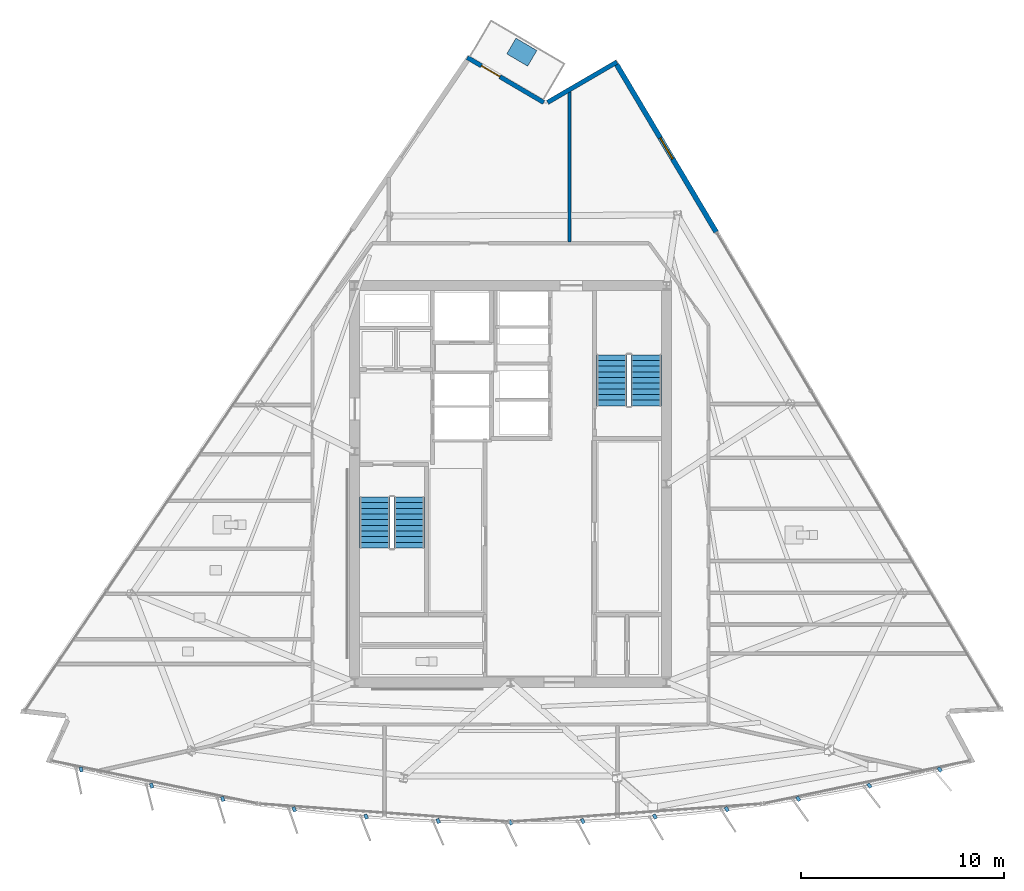
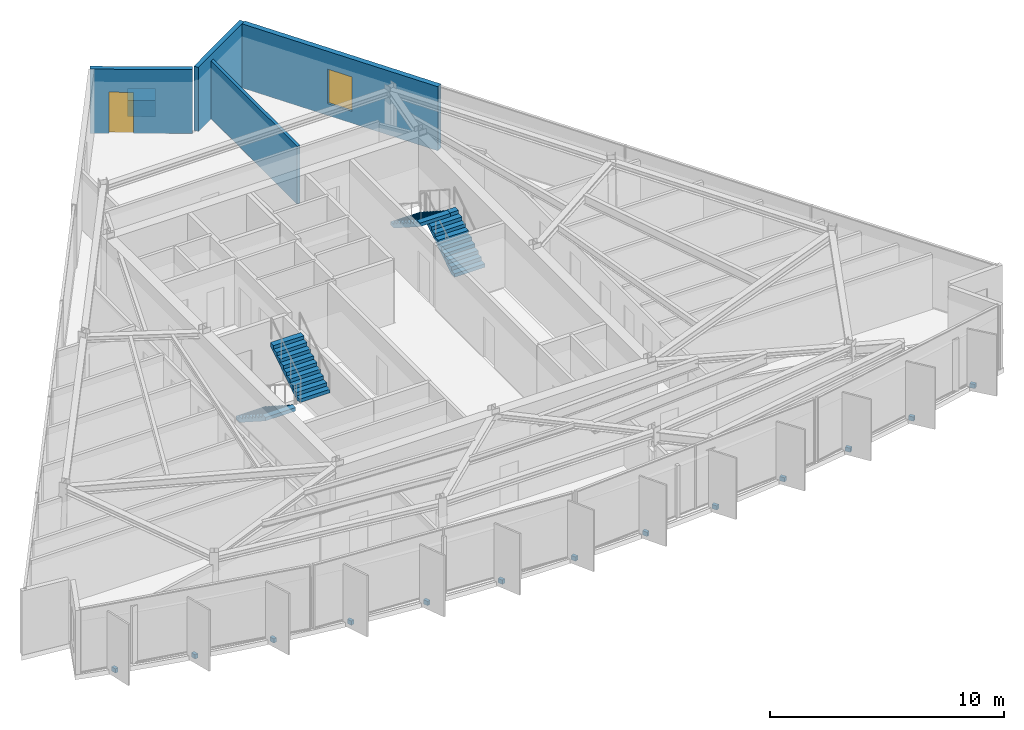
# One storey, part 9 of 13: 14 discrete accessories, 4 stair flights, 4 walls, 1 door, 1 window, 2 openings, 2 elements without a shape of their own.
"""IFC4 building model written with IfcOpenShell, lengths in metres."""

from ifc_helpers import new_model, si_unit, direction, frame, frame_2d, origin, origin_2d, place, context, subcontext, project, spatial, polyline, rectangle, outline, extrude, material, layer, layer_set, type_object, element, fill, aggregate, save


model = new_model("IFC4")

# Units and contexts
model_context = context("Model", 3, precision=1e-05, world=origin(), true_north=direction((0.0, 1.0)))
body_context = subcontext(model_context, "Body", "Model", "MODEL_VIEW")
ifc_project = project(units=[si_unit("LENGTHUNIT", "METRE"), si_unit("AREAUNIT", "SQUARE_METRE"), si_unit("VOLUMEUNIT", "CUBIC_METRE"), si_unit("PLANEANGLEUNIT", "RADIAN"), si_unit("MASSUNIT", "GRAM", prefix="KILO")], contexts=[model_context])

# Site, building, storey
site_placement = place(None, origin())
site = spatial("IfcSite", under=ifc_project, at=site_placement, CompositionType="ELEMENT")
building_placement = place(site_placement, origin())
building = spatial("IfcBuilding", under=site, at=building_placement, Name="Savorim Split Tower", CompositionType="ELEMENT")
storey_placement = place(building_placement, frame((0.0, 0.0, 258.0)))
storey = spatial("IfcBuildingStorey", under=building, at=storey_placement, Name="L68", CompositionType="ELEMENT", Elevation=258.0)

# Wall
ifc_material_1 = material(Name="Precast concrete C40/50", Category="concrete")
ifc_layer_1 = layer(ifc_material_1, 0.219970703125)
ifc_layer_set_1 = layer_set([ifc_layer_1], Name="WAL-EXT-CRN220")
wall_type_1 = type_object("IfcWallType", Name="WAL-EXT-CRN220", PredefinedType="SOLIDWALL", material=ifc_layer_set_1)
wall_1_placement = place(storey_placement, frame((1.832275390625, 19.233642578125, 0.0), z_axis=(0.0, 0.0, 1.0), x_axis=(0.86397765749, 0.503530145432, 0.0)))
element("IfcWall", 1, at=wall_1_placement, inside=storey, type_object=wall_type_1, Name="L68 Notched Corner Facade Wall NE1", PredefinedType="SOLIDWALL", context=body_context, shape_type="SweptSolid", body=[
    extrude(rectangle(XDim=3.963623046875, YDim=0.219970703125, at=frame_2d((1.98193359375, 0.0))), origin(), (0.0, 0.0, 1.0), 3.35009765625),
])

# Wall, opening, door
wall_2_placement = place(storey_placement, frame((-2.1337890625, 21.453125, 0.0), z_axis=(0.0, 0.0, 1.0), x_axis=(0.862106131527, -0.506727755292, 0.0)))
wall_2 = element("IfcWall", 2, at=wall_2_placement, inside=storey, type_object=wall_type_1, Name="L68 Notched Corner Facade Wall N", PredefinedType="SOLIDWALL", context=body_context, shape_type="SweptSolid", body=[
    extrude(rectangle(XDim=4.379638671875, YDim=0.219970703125, at=frame_2d((2.18994140625, 0.0))), origin(), (0.0, 0.0, 1.0), 3.35009765625),
])
opening_1_placement = place(wall_2_placement, frame((0.814697265625, 0.0, 0.0)))
opening_1 = element("IfcOpeningElement", 3, at=opening_1_placement, cuts=wall_2, Name="Opening DB-01", PredefinedType="OPENING", context=body_context, shape_type="SweptSolid", body=[
    extrude(rectangle(XDim=1.050048828125, YDim=2.14990234375, at=frame_2d((0.52490234375, 1.074951171875))), frame((0.0, 0.119873046875, 0.0), z_axis=(0.0, -1.0, 0.0), x_axis=(1.0, 0.0, 0.0)), (0.0, 0.0, 1.0), 0.239990234375),
])
ifc_material_2 = material(Name="Charcoal Anodised Aluminium", Category="aluminium")
door_type = type_object("IfcDoorType", Name="DOR-BAL-1050", OperationType="NOTDEFINED", PredefinedType="DOOR", material=ifc_material_2)
door_placement = place(opening_1_placement, origin())
door = element("IfcDoor", 4, at=door_placement, inside=storey, type_object=door_type, Name="DOR-L68-TBAL-N - L68 Planted Tree Balcony Door N", OperationType="SINGLE_SWING_LEFT", OverallHeight=2.14990234375, OverallWidth=1.050048828125, PredefinedType="DOOR", context=body_context, shape_type="SweptSolid", body=[
    extrude(rectangle(XDim=1.050048828125, YDim=2.14990234375, at=frame_2d((0.52490234375, 1.074951171875))), frame((0.0, 0.02490234375, 0.0), z_axis=(0.0, -1.0, 0.0), x_axis=(1.0, 0.0, 0.0)), (0.0, 0.0, 1.0), 0.050048828125),
])
fill(opening_1, door)

# Wall, opening, window
ifc_layer_2 = layer(ifc_material_1, 0.25)
ifc_layer_set_2 = layer_set([ifc_layer_2], Name="WAL-EXT-SPN250")
wall_type_2 = type_object("IfcWallType", Name="WAL-EXT-SPN250", PredefinedType="SOLIDWALL", material=ifc_layer_set_2)
wall_3_placement = place(storey_placement, frame((5.240234375, 21.10302734375, 0.0), z_axis=(0.0, 0.0, 1.0), x_axis=(0.511088566076, -0.859528055171, 0.0)))
wall_3 = element("IfcWall", 5, at=wall_3_placement, inside=storey, type_object=wall_type_2, Name="L68 East Operable Window Pier", PredefinedType="SOLIDWALL", context=body_context, shape_type="SweptSolid", body=[
    extrude(rectangle(XDim=9.62158203125, YDim=0.25, at=frame_2d((4.810791015625, 0.0))), origin(), (0.0, 0.0, 1.0), 3.35009765625),
])
opening_2_placement = place(wall_3_placement, frame((4.210693359375, 0.0, 0.6201171875)))
opening_2 = element("IfcOpeningElement", 6, at=opening_2_placement, cuts=wall_3, Name="Opening WN-08", PredefinedType="OPENING", context=body_context, shape_type="SweptSolid", body=[
    extrude(rectangle(XDim=1.199951171875, YDim=1.800048828125, at=frame_2d((0.60009765625, 0.89990234375))), frame((0.0, 0.135009765625, 0.0), z_axis=(0.0, -1.0, 0.0), x_axis=(1.0, 0.0, 0.0)), (0.0, 0.0, 1.0), 0.27001953125),
])
ifc_material_3 = material(Name="Low-E Operable Double Glazing", Category="glass")
window_type = type_object("IfcWindowType", Name="WIN-TWR-1200x1800", PartitioningType="SINGLE_PANEL", PredefinedType="WINDOW", material=ifc_material_3)
window_placement = place(opening_2_placement, origin())
window = element("IfcWindow", 7, at=window_placement, inside=storey, type_object=window_type, Name="L68 East Operable Ventilation Window", OverallHeight=1.800048828125, OverallWidth=1.199951171875, PartitioningType="SINGLE_PANEL", PredefinedType="WINDOW", context=body_context, shape_type="SweptSolid", body=[
    extrude(rectangle(XDim=1.199951171875, YDim=1.800048828125, at=frame_2d((0.60009765625, 0.89990234375))), frame((0.0, 0.030029296875, 0.0), z_axis=(0.0, -1.0, 0.0), x_axis=(1.0, 0.0, 0.0)), (0.0, 0.0, 1.0), 0.06005859375),
])
fill(opening_2, window)

# Wall
ifc_material_4 = material(Name="Acoustic Gypsum Partition Board")
ifc_layer_3 = layer(ifc_material_4, 0.14990234375)
ifc_layer_set_3 = layer_set([ifc_layer_3], Name="WAL-PAR-150")
wall_type_3 = type_object("IfcWallType", Name="WAL-PAR-150", PredefinedType="PARTITIONING", material=ifc_layer_set_3)
wall_4_placement = place(storey_placement, frame((2.92041015625, 12.340087890625, 0.0), z_axis=(0.0, 0.0, 1.0), x_axis=(0.0, 1.0, 0.0)))
element("IfcWall", 8, at=wall_4_placement, inside=storey, type_object=wall_type_3, Name="L68 Partition W-L68-SUB11", PredefinedType="PARTITIONING", context=body_context, shape_type="SweptSolid", body=[
    extrude(rectangle(XDim=7.469970703125, YDim=0.14990234375, at=frame_2d((3.73486328125, 0.0))), origin(), (0.0, 0.0, 1.0), 3.014892578125),
])

# Stair, stair flights
ifc_material_5 = material(Name="Concrete C50/60", Category="concrete")
stair_type = type_object("IfcStairType", Name="STR-DOG-3600", PredefinedType="HALF_TURN_STAIR", material=ifc_material_5)
stair_1_placement = place(storey_placement, origin())
stair_1 = element("IfcStair", 9, at=stair_1_placement, inside=storey, type_object=stair_type, Name="L68 Core Protected Exit Stair ST-1", PredefinedType="HALF_TURN_STAIR")
stair_flight_type = type_object("IfcStairFlightType", Name="SFL-DOG-3600", PredefinedType="STRAIGHT", material=ifc_material_5)
stair_flight_1_placement = place(storey_placement, frame((-6.699951171875, -0.25, 0.0), z_axis=(0.0, 0.0, 1.0), x_axis=(0.0, -1.0, 0.0)))
stair_flight_1 = element("IfcStairFlight", 10, at=stair_flight_1_placement, type_object=stair_flight_type, Name="ST-1 flight 1", NumberOfRisers=10, NumberOfTreads=9, PredefinedType="STRAIGHT", RiserHeight=0.18, TreadLength=0.28, context=body_context, shape_type="SweptSolid", body=[
    extrude(outline(polyline([(0.0, 0.0), (0.0, 0.179931640625), (0.280029296875, 0.179931640625), (0.280029296875, 0.360107421875), (0.56005859375, 0.360107421875), (0.56005859375, 0.5400390625), (0.840087890625, 0.5400390625), (0.840087890625, 0.719970703125), (1.1201171875, 0.719970703125), (1.1201171875, 0.89990234375), (1.39990234375, 0.89990234375), (1.39990234375, 1.080078125), (1.679931640625, 1.080078125), (1.679931640625, 1.260009765625), (1.9599609375, 1.260009765625), (1.9599609375, 1.43994140625), (2.239990234375, 1.43994140625), (2.239990234375, 1.6201171875), (2.52001953125, 1.6201171875), (2.52001953125, 1.800048828125), (2.52001953125, 1.44189453125), (0.277099609375, 0.0), (0.0, 0.0)])), frame((0.0, 0.75, 0.0), z_axis=(0.0, -1.0, 0.0), x_axis=(1.0, 0.0, 0.0)), (0.0, 0.0, 1.0), 1.5),
])
stair_flight_2_placement = place(storey_placement, frame((-5.0, -2.77001953125, 1.800048828125), z_axis=(0.0, 0.0, 1.0), x_axis=(0.0, 1.0, 0.0)))
stair_flight_2 = element("IfcStairFlight", 11, at=stair_flight_2_placement, type_object=stair_flight_type, Name="ST-1 flight 2", NumberOfRisers=10, NumberOfTreads=9, PredefinedType="STRAIGHT", RiserHeight=0.18, TreadLength=0.28, context=body_context, shape_type="SweptSolid", body=[
    extrude(outline(polyline([(0.0, 0.0), (0.0, 0.179931640625), (0.280029296875, 0.179931640625), (0.280029296875, 0.360107421875), (0.56005859375, 0.360107421875), (0.56005859375, 0.5400390625), (0.840087890625, 0.5400390625), (0.840087890625, 0.719970703125), (1.1201171875, 0.719970703125), (1.1201171875, 0.89990234375), (1.39990234375, 0.89990234375), (1.39990234375, 1.080078125), (1.679931640625, 1.080078125), (1.679931640625, 1.260009765625), (1.9599609375, 1.260009765625), (1.9599609375, 1.43994140625), (2.239990234375, 1.43994140625), (2.239990234375, 1.6201171875), (2.52001953125, 1.6201171875), (2.52001953125, 1.800048828125), (2.52001953125, 1.44189453125), (0.277099609375, 0.0), (0.0, 0.0)])), frame((0.0, 0.75, 0.0), z_axis=(0.0, -1.0, 0.0), x_axis=(1.0, 0.0, 0.0)), (0.0, 0.0, 1.0), 1.5),
])
aggregate(stair_1, [stair_flight_1, stair_flight_2])

stair_2_placement = place(storey_placement, origin())
stair_2 = element("IfcStair", 12, at=stair_2_placement, inside=storey, type_object=stair_type, Name="L68 Core Protected Exit Stair ST-2", PredefinedType="HALF_TURN_STAIR")
stair_flight_3_placement = place(storey_placement, frame((6.699951171875, 4.25, 0.0), z_axis=(0.0, 0.0, 1.0), x_axis=(0.0, 1.0, 0.0)))
stair_flight_3 = element("IfcStairFlight", 13, at=stair_flight_3_placement, type_object=stair_flight_type, Name="ST-2 flight 1", NumberOfRisers=10, NumberOfTreads=9, PredefinedType="STRAIGHT", RiserHeight=0.18, TreadLength=0.28, context=body_context, shape_type="SweptSolid", body=[
    extrude(outline(polyline([(0.0, 0.0), (0.0, 0.179931640625), (0.280029296875, 0.179931640625), (0.280029296875, 0.360107421875), (0.56005859375, 0.360107421875), (0.56005859375, 0.5400390625), (0.840087890625, 0.5400390625), (0.840087890625, 0.719970703125), (1.1201171875, 0.719970703125), (1.1201171875, 0.89990234375), (1.39990234375, 0.89990234375), (1.39990234375, 1.080078125), (1.679931640625, 1.080078125), (1.679931640625, 1.260009765625), (1.9599609375, 1.260009765625), (1.9599609375, 1.43994140625), (2.239990234375, 1.43994140625), (2.239990234375, 1.6201171875), (2.52001953125, 1.6201171875), (2.52001953125, 1.800048828125), (2.52001953125, 1.44189453125), (0.277099609375, 0.0), (0.0, 0.0)])), frame((0.0, 0.75, 0.0), z_axis=(0.0, -1.0, 0.0), x_axis=(1.0, 0.0, 0.0)), (0.0, 0.0, 1.0), 1.5),
])
stair_flight_4_placement = place(storey_placement, frame((5.0, 6.77001953125, 1.800048828125), z_axis=(0.0, 0.0, 1.0), x_axis=(0.0, -1.0, 0.0)))
stair_flight_4 = element("IfcStairFlight", 14, at=stair_flight_4_placement, type_object=stair_flight_type, Name="ST-2 flight 2", NumberOfRisers=10, NumberOfTreads=9, PredefinedType="STRAIGHT", RiserHeight=0.18, TreadLength=0.28, context=body_context, shape_type="SweptSolid", body=[
    extrude(outline(polyline([(0.0, 0.0), (0.0, 0.179931640625), (0.280029296875, 0.179931640625), (0.280029296875, 0.360107421875), (0.56005859375, 0.360107421875), (0.56005859375, 0.5400390625), (0.840087890625, 0.5400390625), (0.840087890625, 0.719970703125), (1.1201171875, 0.719970703125), (1.1201171875, 0.89990234375), (1.39990234375, 0.89990234375), (1.39990234375, 1.080078125), (1.679931640625, 1.080078125), (1.679931640625, 1.260009765625), (1.9599609375, 1.260009765625), (1.9599609375, 1.43994140625), (2.239990234375, 1.43994140625), (2.239990234375, 1.6201171875), (2.52001953125, 1.6201171875), (2.52001953125, 1.800048828125), (2.52001953125, 1.44189453125), (0.277099609375, 0.0), (0.0, 0.0)])), frame((0.0, 0.75, 0.0), z_axis=(0.0, -1.0, 0.0), x_axis=(1.0, 0.0, 0.0)), (0.0, 0.0, 1.0), 1.5),
])
aggregate(stair_2, [stair_flight_3, stair_flight_4])

# Discrete accessories
ifc_material_6 = material(Name="Steel S355", Category="steel")
discrete_accessory_type_1 = type_object("IfcDiscreteAccessoryType", Name="ACC-BRK-FIN", PredefinedType="BRACKET", material=ifc_material_6)
for number, where, z_axis, x_axis, name in (
    (15, (-21.19970703125, -13.70703125, -0.18994140625), (0.0, 0.0, 1.0), (0.206721626106, -0.978399800337, 0.0), "L68 Fin Slab-Edge Cleat Bracket 01"),
    (16, (-17.720947265625, -14.503662109375, -0.18994140625), (0.0, 0.0, 1.0), (0.246581250663, -0.969122121727, 0.0), "L68 Fin Slab-Edge Cleat Bracket 02"),
    (17, (-14.21240234375, -15.1572265625, -0.18994140625), (0.0, 0.0, 1.0), (0.286026212504, -0.958221793616, 0.0), "L68 Fin Slab-Edge Cleat Bracket 03"),
    (18, (-10.680419921875, -15.666748046875, -0.18994140625), (0.0, 0.0, 1.0), (0.324993810493, -0.945716143005, 0.0), "L68 Fin Slab-Edge Cleat Bracket 04"),
    (19, (-7.130126953125, -16.03125, -0.18994140625), (0.0, 0.0, 1.0), (0.363415461732, -0.931627179817, 0.0), "L68 Fin Slab-Edge Cleat Bracket 05"),
    (20, (-3.568115234375, -16.250244140625, -0.18994140625), (0.0, 0.0, 1.0), (0.401230091723, -0.915977299662, 0.0), "L68 Fin Slab-Edge Cleat Bracket 06"),
    (21, (0.0, -16.3232421875, -0.18994140625), (0.0, 0.0, 1.0), (0.438371146789, -0.898794046299, 0.0), "L68 Fin Slab-Edge Cleat Bracket 07"),
    (22, (3.568115234375, -16.250244140625, -0.18994140625), (0.0, 0.0, 1.0), (0.474778051978, -0.880105562623, 0.0), "L68 Fin Slab-Edge Cleat Bracket 08"),
    (23, (7.130126953125, -16.03125, -0.18994140625), (0.0, 0.0, 1.0), (0.510391336723, -0.859942255851, 0.0), "L68 Fin Slab-Edge Cleat Bracket 09"),
    (24, (10.680419921875, -15.666748046875, -0.18994140625), (0.0, 0.0, 1.0), (0.545148321708, -0.838339613366, 0.0), "L68 Fin Slab-Edge Cleat Bracket 10"),
    (25, (14.21240234375, -15.1572265625, -0.18994140625), (0.0, 0.0, 1.0), (0.578993757737, -0.815331974414, 0.0), "L68 Fin Slab-Edge Cleat Bracket 11"),
    (26, (17.720947265625, -14.503662109375, -0.18994140625), (0.0, 0.0, 1.0), (0.611868076908, -0.790959832394, 0.0), "L68 Fin Slab-Edge Cleat Bracket 12"),
    (27, (21.19970703125, -13.70703125, -0.18994140625), (0.0, 0.0, 1.0), (0.643719022682, -0.765261928909, 0.0), "L68 Fin Slab-Edge Cleat Bracket 13"),
):
    element("IfcDiscreteAccessory", number, at=place(storey_placement, frame(where, z_axis=z_axis, x_axis=x_axis)), inside=storey, type_object=discrete_accessory_type_1, Name=name, PredefinedType="BRACKET", context=body_context, shape_type="SweptSolid", body=[
        extrude(rectangle(XDim=0.239990234375, YDim=0.159912109375, at=origin_2d()), origin(), (0.0, 0.0, 1.0), 0.219970703125),
    ])
ifc_material_7 = material(Name="Architectural Precast Planter Concrete C40/50", Category="concrete")
discrete_accessory_type_2 = type_object("IfcDiscreteAccessoryType", Name="ACC-PLN-TREE", PredefinedType="USERDEFINED", material=ifc_material_7)
discrete_accessory_placement = place(storey_placement, frame((0.5595703125, 21.71435546875, 0.0), z_axis=(0.0, 0.0, 1.0), x_axis=(-0.862124808883, 0.50669597779, 0.0)))
element("IfcDiscreteAccessory", 28, at=discrete_accessory_placement, inside=storey, type_object=discrete_accessory_type_2, Name="L68 Balcony Precast Tree Planter N", ObjectType="PLANTER", PredefinedType="USERDEFINED", context=body_context, shape_type="SweptSolid", body=[
    extrude(rectangle(XDim=1.199951171875, YDim=0.89990234375, at=origin_2d()), origin(), (0.0, 0.0, 1.0), 0.85009765625),
])

save(model, "model.ifc")
